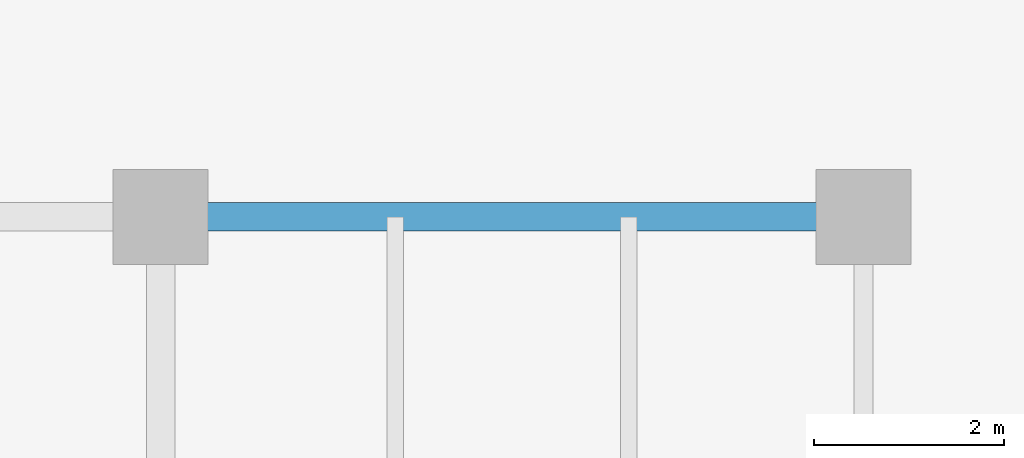
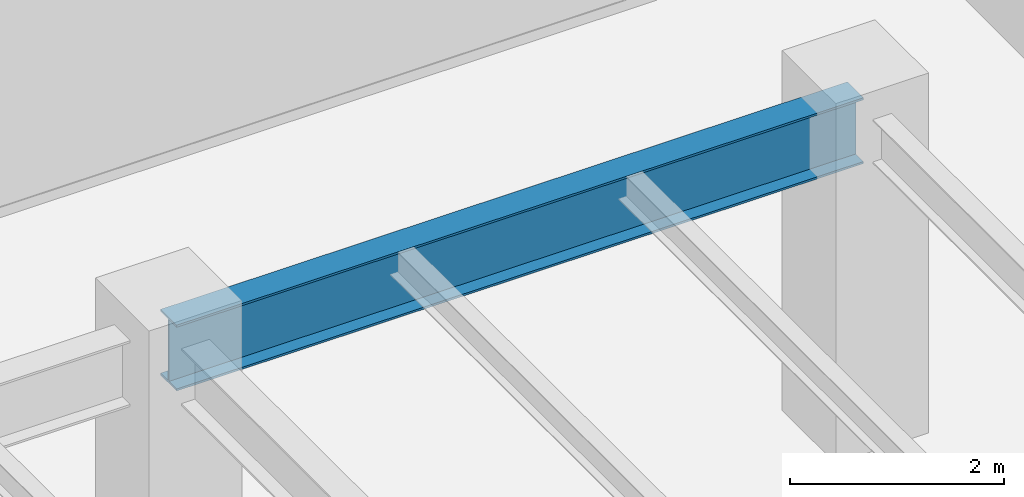
# One storey, part 21 of 35: 1 beam.
"""IFC4 building model written with IfcOpenShell, lengths in metres."""

from ifc_helpers import new_model, si_unit, direction, frame, origin, origin_2d, place, context, subcontext, project, spatial, i_section, extrude, source, transform, mapped, material, material_profile, profile_set, type_object, type_shapes, element, save


model = new_model("IFC4")

# Units and contexts
model_context = context("Model", 3, precision=1e-05, world=origin(), true_north=direction((0.0, 1.0)))
body_context = subcontext(model_context, "Body", "Model", "MODEL_VIEW")
ifc_project = project(units=[si_unit("LENGTHUNIT", "METRE"), si_unit("AREAUNIT", "SQUARE_METRE"), si_unit("VOLUMEUNIT", "CUBIC_METRE"), si_unit("PLANEANGLEUNIT", "RADIAN"), si_unit("MASSUNIT", "GRAM", prefix="KILO")], contexts=[model_context])

# Site, building, storey
site_placement = place(None, origin())
site = spatial("IfcSite", under=ifc_project, at=site_placement, CompositionType="ELEMENT")
building_placement = place(site_placement, origin())
building = spatial("IfcBuilding", under=site, at=building_placement, Name="Haelvirn Gate Laboratories", CompositionType="ELEMENT")
storey_placement = place(building_placement, frame((0.0, 0.0, 82.60009765625)))
storey = spatial("IfcBuildingStorey", under=building, at=storey_placement, Name="L20", CompositionType="ELEMENT", Elevation=82.60009765625)

# Beam
ifc_material = material(Name="Steel SM355", Category="steel")
ifc_material_profile = material_profile(ifc_material, i_section(OverallWidth=0.300048828125, OverallDepth=0.75, WebThickness=0.013916015625, FlangeThickness=0.02392578125, at=origin_2d()), Name="H-750x300x14x24")
ifc_profile_set = profile_set([ifc_material_profile], Name="Steel SM355")
beam_type = type_object("IfcBeamType", Name="BM-G-750", PredefinedType="BEAM", material=ifc_profile_set)
shared_shape = source(origin(), body_context, "Body", "SweptSolid", [
    extrude(i_section(OverallWidth=0.300048828125, OverallDepth=0.75, WebThickness=0.013916015625, FlangeThickness=0.02392578125, at=origin_2d()), origin(), (0.0, 0.0, 1.0), 7.39990234375),
])
type_shapes(beam_type, [shared_shape])
beam_placement = place(storey_placement, frame((60.0, 41.60009765625, 3.40478515625), z_axis=(1.0, 0.0, 0.0), x_axis=(0.0, 1.0, 0.0)))
element("IfcBeam", 1, at=beam_placement, inside=storey, type_object=beam_type, Name="L20 Primary Girder Y41.6 (60.0-67.4)", PredefinedType="BEAM", context=body_context, shape_type="MappedRepresentation", body=[
    mapped(shared_shape, transform((0.0, 0.0, 0.0), scale=1.0)),
])

save(model, "model.ifc")
